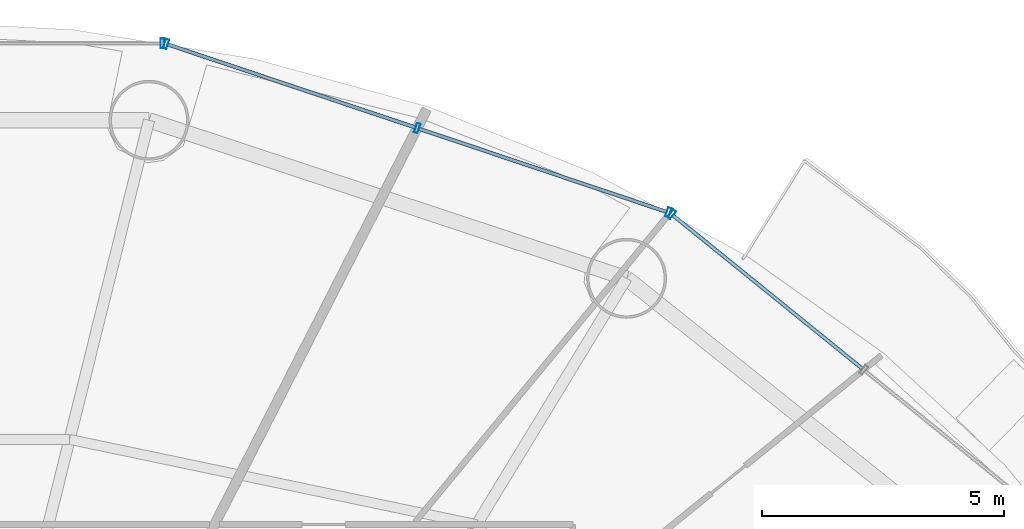
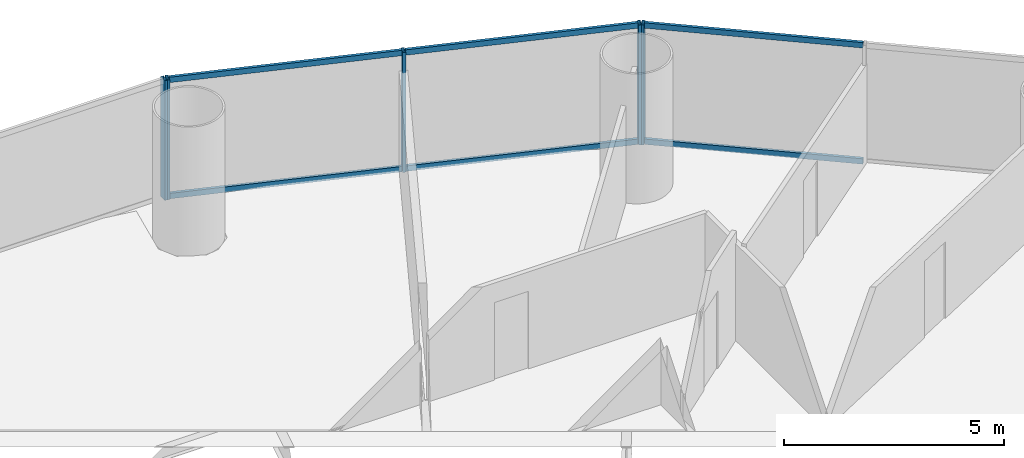
# One storey, part 20 of 30: 11 members, 3 elements without a shape of their own.
"""IFC4 building model written with IfcOpenShell, lengths in metres."""

import ifcopenshell
import ifcopenshell.guid

model = None  # the IFC model being written
_history = None  # IfcOwnerHistory: only IFC2X3 demands one
_inside = {}  # id of a spatial element -> (the spatial element, [elements in it])
_under = {}  # id of a project, library or spatial element -> (it, [spatial elements below it])
_declared = {}  # id of a project -> (the project, [libraries it declares])
_typed = {}  # id of a type object -> (the type object, [elements of that type])
_made_of = {}  # id of a material, layer set ... -> (it, [elements and type objects made of it])


def new_model(schema):
    """Start an empty IFC model of exactly this schema.

    Asked for "IFC4X3", IfcOpenShell would pick the latest addendum, in which some entities
    have other attributes; the version numbers below select the first issue.
    IFC2X3 requires an IfcOwnerHistory on every rooted entity: one is made here for all.
    """
    global model, _history
    if schema == "IFC4X3":
        model = ifcopenshell.file(schema_version=(4, 3, 0, 0))
    else:
        model = ifcopenshell.file(schema=schema)
    _inside.clear()
    _under.clear()
    _declared.clear()
    _typed.clear()
    _made_of.clear()
    _history = None
    if model.schema == "IFC2X3":
        org = make("IfcOrganization", Name="unknown")
        user = make(
            "IfcPersonAndOrganization",
            ThePerson=make("IfcPerson", FamilyName="unknown"),
            TheOrganization=org,
        )
        app = make(
            "IfcApplication",
            ApplicationDeveloper=org,
            Version="unknown",
            ApplicationFullName="unknown",
            ApplicationIdentifier="unknown",
        )
        _history = make(
            "IfcOwnerHistory",
            OwningUser=user,
            OwningApplication=app,
            ChangeAction="ADDED",
            CreationDate=0,
        )
    return model


def make(cls, **values):
    """One entity of the class cls with the attributes given. An attribute that is None is left unset."""
    return model.create_entity(
        cls, **{name: value for name, value in values.items() if value is not None}
    )


def rooted(cls, **values):
    """An entity with a GlobalId (a new one), such as an element, a storey or a relation."""
    return make(cls, GlobalId=ifcopenshell.guid.new(), OwnerHistory=_history, **values)


def si_unit(unit_type, name, prefix=None):
    """IfcSIUnit, for example si_unit("LENGTHUNIT", "METRE", prefix="MILLI")."""
    return make("IfcSIUnit", UnitType=unit_type, Prefix=prefix, Name=name)


def assignment(units):
    """IfcUnitAssignment: the units of a project."""
    return None if units is None else make("IfcUnitAssignment", Units=units)


def point(xyz):
    """IfcCartesianPoint."""
    return None if xyz is None else make("IfcCartesianPoint", Coordinates=xyz)


def direction(xyz):
    """IfcDirection."""
    return None if xyz is None else make("IfcDirection", DirectionRatios=xyz)


def frame(location, z_axis=None, x_axis=None):
    """IfcAxis2Placement3D, a coordinate frame: its origin and axes. An axis left out is left unset."""
    return make(
        "IfcAxis2Placement3D",
        Location=point(location),
        Axis=direction(z_axis),
        RefDirection=direction(x_axis),
    )


def frame_2d(location, x_axis=None):
    """IfcAxis2Placement2D, a coordinate frame in the plane: its origin and x axis."""
    return make(
        "IfcAxis2Placement2D", Location=point(location), RefDirection=direction(x_axis)
    )


def origin():
    """The frame at (0, 0, 0) with its axes left unset."""
    return frame((0.0, 0.0, 0.0))


def origin_2d():
    """The frame at (0, 0) in the plane with its x axis left unset."""
    return frame_2d((0.0, 0.0))


def place(relative_to, where):
    """IfcLocalPlacement: puts the frame where relative to a parent placement (None: the world)."""
    return make(
        "IfcLocalPlacement", PlacementRelTo=relative_to, RelativePlacement=where
    )


def context(
    kind, dimensions, precision=None, world=None, true_north=None, identifier=None
):
    """IfcGeometricRepresentationContext, for example the 3D "Model" context."""
    return make(
        "IfcGeometricRepresentationContext",
        ContextIdentifier=identifier,
        ContextType=kind,
        CoordinateSpaceDimension=dimensions,
        Precision=precision,
        WorldCoordinateSystem=world,
        TrueNorth=true_north,
    )


def subcontext(parent, identifier, kind, view, scale=None):
    """IfcGeometricRepresentationSubContext, for example "Body" below "Model"."""
    return make(
        "IfcGeometricRepresentationSubContext",
        ContextIdentifier=identifier,
        ContextType=kind,
        ParentContext=parent,
        TargetScale=scale,
        TargetView=view,
    )


def project(units=None, contexts=None):
    """IfcProject with its units and contexts."""
    return rooted(
        "IfcProject",
        Name="project",
        RepresentationContexts=contexts,
        UnitsInContext=assignment(units),
    )


def spatial(cls, under=None, at=None, **own):
    """A site, building, storey or space (cls), placed at a placement, below another one or the project."""
    s = rooted(cls, ObjectPlacement=at, **own)
    if under is not None:
        _under.setdefault(under.id(), (under, []))[1].append(s)
    return s


def profile(cls, at=None, kind="AREA", **sizes):
    """A parametric profile (cls). Its sizes go by their IFC names, for example OverallWidth=200.0."""
    return make(cls, ProfileType=kind, Position=at, **sizes)


def hollow_rectangle(**sizes):
    """IfcRectangleHollowProfileDef."""
    return profile("IfcRectangleHollowProfileDef", **sizes)


def extrude(swept, where, along, depth):
    """IfcExtrudedAreaSolid: the profile swept, set in the frame where, extruded along a direction by depth."""
    return make(
        "IfcExtrudedAreaSolid",
        SweptArea=swept,
        Position=where,
        ExtrudedDirection=direction(along),
        Depth=depth,
    )


def shape(context_of_items, identifier, shape_type, items):
    """IfcShapeRepresentation: the items that make up one representation, for example the "Body"."""
    return make(
        "IfcShapeRepresentation",
        ContextOfItems=context_of_items,
        RepresentationIdentifier=identifier,
        RepresentationType=shape_type,
        Items=items,
    )


def source(mapping_origin, context_of_items, identifier, shape_type, items):
    """IfcRepresentationMap: a shape defined once, which mapped items show again and again."""
    return make(
        "IfcRepresentationMap",
        MappingOrigin=mapping_origin,
        MappedRepresentation=shape(context_of_items, identifier, shape_type, items),
    )


def transform(
    local_origin,
    x_axis=None,
    y_axis=None,
    z_axis=None,
    scale=None,
    scale2=None,
    scale3=None,
    uniform=True,
):
    """IfcCartesianTransformationOperator3D, or its non-uniform kind. x_axis, y_axis, z_axis: its Axis1, 2, 3."""
    if uniform:
        return make(
            "IfcCartesianTransformationOperator3D",
            Axis1=direction(x_axis),
            Axis2=direction(y_axis),
            LocalOrigin=point(local_origin),
            Scale=scale,
            Axis3=direction(z_axis),
        )
    return make(
        "IfcCartesianTransformationOperator3DnonUniform",
        Axis1=direction(x_axis),
        Axis2=direction(y_axis),
        LocalOrigin=point(local_origin),
        Scale=scale,
        Axis3=direction(z_axis),
        Scale2=scale2,
        Scale3=scale3,
    )


def mapped(mapping_source, mapping_target):
    """IfcMappedItem: shows the shape of a source again, moved by a transform."""
    return make(
        "IfcMappedItem", MappingSource=mapping_source, MappingTarget=mapping_target
    )


def material(Name=None, Category=None):
    """IfcMaterial."""
    return make("IfcMaterial", Name=Name, Category=Category)


def material_profile(
    of_material, cross_section, Name=None, Category=None, Priority=None
):
    """IfcMaterialProfile: a cross section and its material."""
    return make(
        "IfcMaterialProfile",
        Name=Name,
        Material=of_material,
        Profile=cross_section,
        Priority=Priority,
        Category=Category,
    )


def profile_set(profiles, Name=None, composite=None):
    """IfcMaterialProfileSet."""
    return make(
        "IfcMaterialProfileSet",
        Name=Name,
        MaterialProfiles=profiles,
        CompositeProfile=composite,
    )


def made_of(thing, what):
    """Note that an element or type object is made of a material, layer set ...; save() writes the relation."""
    if what is not None:
        _made_of.setdefault(what.id(), (what, []))[1].append(thing)
    return thing


def type_object(cls, material=None, **own):
    """A type object (cls), such as IfcWallType, which elements share."""
    return made_of(rooted(cls, **own), material)


def element(
    cls,
    number,
    at=None,
    inside=None,
    cuts=None,
    type_object=None,
    material=None,
    context=None,
    identifier="Body",
    shape_type=None,
    held_by="IfcProductDefinitionShape",
    body=None,
    shapes=None,
    **own,
):
    """One element of the class cls, such as IfcWall. Its Tag is "e" and its number.

    at: its placement. inside: the storey or other place that contains it. cuts: it is an
    opening in that element (IfcRelVoidsElement). A single representation is given by context,
    identifier, shape_type and body (its items); several are given by shapes. held_by: the class
    of the entity that holds the representations. save() writes the other relations.
    """
    e = rooted(cls, Tag="e%d" % number, ObjectPlacement=at, **own)
    if body is not None:
        shapes = [shape(context, identifier, shape_type, body)]
    if shapes is not None:
        e.Representation = make(held_by, Representations=shapes)
    if inside is not None:
        _inside.setdefault(inside.id(), (inside, []))[1].append(e)
    if cuts is not None:
        rooted(
            "IfcRelVoidsElement", RelatingBuildingElement=cuts, RelatedOpeningElement=e
        )
    if type_object is not None:
        _typed.setdefault(type_object.id(), (type_object, []))[1].append(e)
    return made_of(e, material)


def aggregate(whole, parts):
    """IfcRelAggregates: a whole, such as a stair, and the parts it consists of."""
    return rooted("IfcRelAggregates", RelatingObject=whole, RelatedObjects=parts)


def save(model, path):
    """Write the relations noted so far, then the file.

    IfcRelAggregates (storeys below a building ...), IfcRelContainedInSpatialStructure (elements
    in a storey), IfcRelDefinesByType, IfcRelAssociatesMaterial and IfcRelDeclares: one each for
    every whole, place, type object, material and project.
    """
    for whole, parts in _under.values():
        aggregate(whole, parts)
    for where, things in _inside.values():
        rooted(
            "IfcRelContainedInSpatialStructure",
            RelatedElements=things,
            RelatingStructure=where,
        )
    for kind, things in _typed.values():
        rooted("IfcRelDefinesByType", RelatedObjects=things, RelatingType=kind)
    for what, things in _made_of.values():
        rooted("IfcRelAssociatesMaterial", RelatedObjects=things, RelatingMaterial=what)
    for by, libraries in _declared.values():
        rooted("IfcRelDeclares", RelatingContext=by, RelatedDefinitions=libraries)
    model.write(path)


model = new_model("IFC4")

# Units and contexts
model_context = context("Model", 3, precision=1e-05, world=origin(), true_north=direction((-0.2419218956, 0.970295726276)))
body_context = subcontext(model_context, "Body", "Model", "MODEL_VIEW")
ifc_project = project(units=[si_unit("LENGTHUNIT", "METRE"), si_unit("AREAUNIT", "SQUARE_METRE"), si_unit("VOLUMEUNIT", "CUBIC_METRE"), si_unit("PLANEANGLEUNIT", "RADIAN"), si_unit("MASSUNIT", "GRAM", prefix="KILO")], contexts=[model_context])

# Site, building, storey
site_placement = place(None, origin())
site = spatial("IfcSite", under=ifc_project, at=site_placement, CompositionType="ELEMENT")
building_placement = place(site_placement, origin())
building = spatial("IfcBuilding", under=site, at=building_placement, Name="Cobrevalo Terracotta Tower", CompositionType="ELEMENT")
storey_placement = place(building_placement, frame((0.0, 0.0, 27.60009765625)))
storey = spatial("IfcBuildingStorey", under=building, at=storey_placement, Name="L06", CompositionType="ELEMENT", Elevation=27.60009765625)

# Curtain wall, members
ifc_material = material(Name="Anodized aluminium", Category="aluminium")
curtain_wall_type = type_object("IfcCurtainWallType", Name="Lower-tower unitised acoustic low-E curtain wall CW-U1", PredefinedType="NOTDEFINED", material=ifc_material)
curtain_wall_1_placement = place(storey_placement, origin())
curtain_wall_1 = element("IfcCurtainWall", 1, at=curtain_wall_1_placement, inside=storey, type_object=curtain_wall_type, Name="L06 curtain wall CW-L06-S02", PredefinedType="NOTDEFINED")
ifc_material_profile_1 = material_profile(ifc_material, hollow_rectangle(XDim=0.074951171875, YDim=0.14990234375, WallThickness=0.00439453125, at=origin_2d()), Name="CWT 75x150")
ifc_profile_set_1 = profile_set([ifc_material_profile_1], Name="Anodized aluminium")
member_type_1 = type_object("IfcMemberType", Name="Tower unitised aluminium transom 75x150", PredefinedType="USERDEFINED", material=ifc_profile_set_1)
shared_shape_1 = source(origin(), body_context, "Body", "SweptSolid", [
    extrude(hollow_rectangle(XDim=0.074951171875, YDim=0.14990234375, WallThickness=0.00439453125, at=origin_2d()), origin(), (0.0, 0.0, 1.0), 5.0234375),
])
member_1_placement = place(storey_placement, frame((58.060302734375, 43.10205078125, 0.0498046875), z_axis=(-0.777022991593, 0.629472215857, 0.0), x_axis=(-0.629472215857, -0.777022991593, 0.0)))
member_1 = element("IfcMember", 2, at=member_1_placement, type_object=member_type_1, Name="CW-L06-S02 transom B02-T1", ObjectType="TRANSOM", PredefinedType="USERDEFINED", context=body_context, shape_type="MappedRepresentation", body=[
    mapped(shared_shape_1, transform((0.0, 0.0, 0.0), scale=1.0)),
])
member_2_placement = place(storey_placement, frame((58.060302734375, 43.10205078125, 3.27001953125), z_axis=(-0.777022991593, 0.629472215857, 0.0), x_axis=(-0.629472215857, -0.777022991593, 0.0)))
member_2 = element("IfcMember", 3, at=member_2_placement, type_object=member_type_1, Name="CW-L06-S02 transom B02-T2", ObjectType="TRANSOM", PredefinedType="USERDEFINED", context=body_context, shape_type="MappedRepresentation", body=[
    mapped(shared_shape_1, transform((0.0, 0.0, 0.0), scale=1.0)),
])

curtain_wall_2_placement = place(storey_placement, origin())
curtain_wall_2 = element("IfcCurtainWall", 4, at=curtain_wall_2_placement, inside=storey, type_object=curtain_wall_type, Name="L06 curtain wall CW-L06-S03", PredefinedType="NOTDEFINED")
shared_shape_2 = source(origin(), body_context, "Body", "SweptSolid", [
    extrude(hollow_rectangle(XDim=0.074951171875, YDim=0.14990234375, WallThickness=0.00439453125, at=origin_2d()), origin(), (0.0, 0.0, 1.0), 5.387939453125),
])
member_3_placement = place(storey_placement, frame((54.01904296875, 46.340087890625, 0.0498046875), z_axis=(-0.94804244582, 0.318143868278, 0.0), x_axis=(-0.318143868278, -0.94804244582, 0.0)))
member_3 = element("IfcMember", 5, at=member_3_placement, type_object=member_type_1, Name="CW-L06-S03 transom B01-T1", ObjectType="TRANSOM", PredefinedType="USERDEFINED", context=body_context, shape_type="MappedRepresentation", body=[
    mapped(shared_shape_2, transform((0.0, 0.0, 0.0), scale=1.0)),
])
member_4_placement = place(storey_placement, frame((54.01904296875, 46.340087890625, 3.27001953125), z_axis=(-0.94804244582, 0.318143868278, 0.0), x_axis=(-0.318143868278, -0.94804244582, 0.0)))
member_4 = element("IfcMember", 6, at=member_4_placement, type_object=member_type_1, Name="CW-L06-S03 transom B01-T2", ObjectType="TRANSOM", PredefinedType="USERDEFINED", context=body_context, shape_type="MappedRepresentation", body=[
    mapped(shared_shape_2, transform((0.0, 0.0, 0.0), scale=1.0)),
])
member_5_placement = place(storey_placement, frame((48.83544921875, 48.07958984375, 0.0498046875), z_axis=(-0.94804244582, 0.318143868278, 0.0), x_axis=(-0.318143868278, -0.94804244582, 0.0)))
member_5 = element("IfcMember", 7, at=member_5_placement, type_object=member_type_1, Name="CW-L06-S03 transom B02-T1", ObjectType="TRANSOM", PredefinedType="USERDEFINED", context=body_context, shape_type="MappedRepresentation", body=[
    mapped(shared_shape_2, transform((0.0, 0.0, 0.0), scale=1.0)),
])
member_6_placement = place(storey_placement, frame((48.83544921875, 48.07958984375, 3.27001953125), z_axis=(-0.94804244582, 0.318143868278, 0.0), x_axis=(-0.318143868278, -0.94804244582, 0.0)))
member_6 = element("IfcMember", 8, at=member_6_placement, type_object=member_type_1, Name="CW-L06-S03 transom B02-T2", ObjectType="TRANSOM", PredefinedType="USERDEFINED", context=body_context, shape_type="MappedRepresentation", body=[
    mapped(shared_shape_2, transform((0.0, 0.0, 0.0), scale=1.0)),
])

# Member
ifc_material_profile_2 = material_profile(ifc_material, hollow_rectangle(XDim=0.074951171875, YDim=0.199951171875, WallThickness=0.0048828125, at=origin_2d()), Name="CWM 75x200")
ifc_profile_set_2 = profile_set([ifc_material_profile_2], Name="Anodized aluminium")
member_type_2 = type_object("IfcMemberType", Name="Lower/mid tower unitised mullion 75x200", PredefinedType="MULLION", material=ifc_profile_set_2)
shared_shape_3 = source(origin(), body_context, "Body", "SweptSolid", [
    extrude(hollow_rectangle(XDim=0.074951171875, YDim=0.199951171875, WallThickness=0.0048828125, at=origin_2d()), origin(), (0.0, 0.0, 1.0), 3.31982421875),
])
member_7_placement = place(storey_placement, frame((54.1259765625, 46.289306640625, 0.0), z_axis=(0.0, 0.0, 1.0), x_axis=(-0.777003153187, 0.629496703675, 0.0)))
member_7 = element("IfcMember", 9, at=member_7_placement, type_object=member_type_2, Name="CW-L06-S02 vertical mullion 03", PredefinedType="MULLION", context=body_context, shape_type="MappedRepresentation", body=[
    mapped(shared_shape_3, transform((0.0, 0.0, 0.0), scale=1.0)),
])

aggregate(curtain_wall_1, [member_7, member_1, member_2])

member_8_placement = place(storey_placement, frame((54.056884765625, 46.327392578125, 0.0), z_axis=(0.0, 0.0, 1.0), x_axis=(-0.948046393597, 0.318132103987, 0.0)))
member_8 = element("IfcMember", 10, at=member_8_placement, type_object=member_type_2, Name="CW-L06-S03 vertical mullion 01", PredefinedType="MULLION", context=body_context, shape_type="MappedRepresentation", body=[
    mapped(shared_shape_3, transform((0.0, 0.0, 0.0), scale=1.0)),
])

member_9_placement = place(storey_placement, frame((48.873291015625, 48.06689453125, 0.0), z_axis=(0.0, 0.0, 1.0), x_axis=(-0.948046393597, 0.318132103987, 0.0)))
member_9 = element("IfcMember", 11, at=member_9_placement, type_object=member_type_2, Name="CW-L06-S03 vertical mullion 02", PredefinedType="MULLION", context=body_context, shape_type="MappedRepresentation", body=[
    mapped(shared_shape_3, transform((0.0, 0.0, 0.0), scale=1.0)),
])

member_10_placement = place(storey_placement, frame((43.689697265625, 49.806396484375, 0.0), z_axis=(0.0, 0.0, 1.0), x_axis=(-0.948046393597, 0.318132103987, 0.0)))
member_10 = element("IfcMember", 12, at=member_10_placement, type_object=member_type_2, Name="CW-L06-S03 vertical mullion 03", PredefinedType="MULLION", context=body_context, shape_type="MappedRepresentation", body=[
    mapped(shared_shape_3, transform((0.0, 0.0, 0.0), scale=1.0)),
])

aggregate(curtain_wall_2, [member_8, member_9, member_10, member_3, member_4, member_5, member_6])

# Curtain wall, member
curtain_wall_3_placement = place(storey_placement, origin())
curtain_wall_3 = element("IfcCurtainWall", 13, at=curtain_wall_3_placement, inside=storey, type_object=curtain_wall_type, Name="L06 curtain wall CW-L06-S04", PredefinedType="NOTDEFINED")
member_11_placement = place(storey_placement, frame((43.61181640625, 49.819091796875, 0.0), z_axis=(0.0, 0.0, 1.0), x_axis=(-1.0, 0.0, 0.0)))
member_11 = element("IfcMember", 14, at=member_11_placement, type_object=member_type_2, Name="CW-L06-S04 vertical mullion 01", PredefinedType="MULLION", context=body_context, shape_type="MappedRepresentation", body=[
    mapped(shared_shape_3, transform((0.0, 0.0, 0.0), scale=1.0)),
])
aggregate(curtain_wall_3, [member_11])

save(model, "model.ifc")
